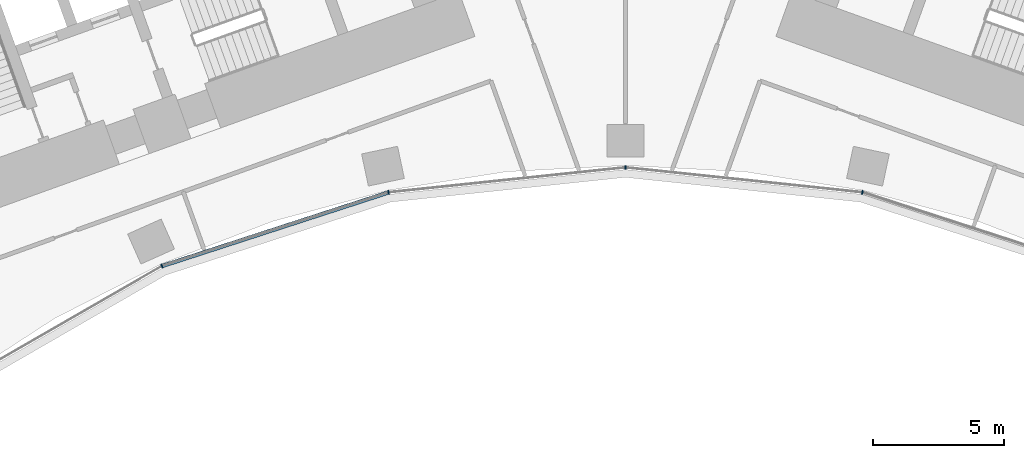
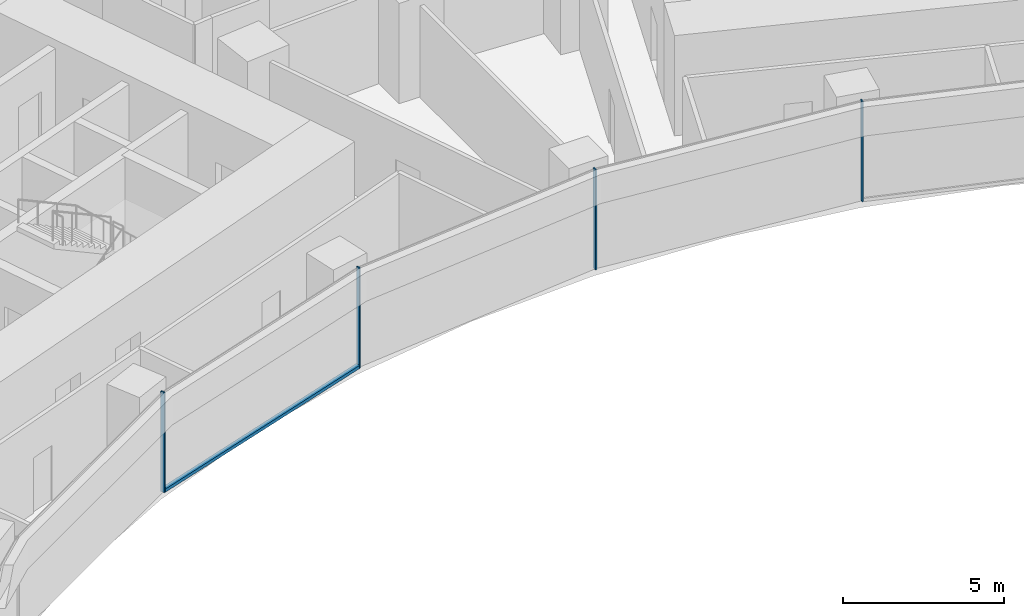
# One storey, part 5 of 21: 5 members, 1 element without a shape of its own.
"""IFC4 building model written with IfcOpenShell, lengths in metres."""

from ifc_helpers import new_model, si_unit, direction, frame, origin, origin_2d, place, context, subcontext, project, spatial, rectangle, extrude, material, layer, layer_set, material_profile, profile_set, type_object, element, aggregate, save


model = new_model("IFC4")

# Units and contexts
model_context = context("Model", 3, precision=1e-05, world=origin(), true_north=direction((0.0, 1.0)))
body_context = subcontext(model_context, "Body", "Model", "MODEL_VIEW")
ifc_project = project(units=[si_unit("LENGTHUNIT", "METRE"), si_unit("AREAUNIT", "SQUARE_METRE"), si_unit("VOLUMEUNIT", "CUBIC_METRE"), si_unit("PLANEANGLEUNIT", "RADIAN"), si_unit("MASSUNIT", "GRAM", prefix="KILO")], contexts=[model_context])

# Site, building, storey
site_placement = place(None, origin())
site = spatial("IfcSite", under=ifc_project, at=site_placement, CompositionType="ELEMENT")
building_placement = place(site_placement, origin())
building = spatial("IfcBuilding", under=site, at=building_placement, Name="Stone Belt Terrace Tower", CompositionType="ELEMENT")
storey_placement = place(building_placement, frame((0.0, 0.0, 33.800048828125)))
storey = spatial("IfcBuildingStorey", under=building, at=storey_placement, Name="L07", CompositionType="ELEMENT", Elevation=33.800048828125)

# Curtain wall, members
ifc_material = material(Name="Aluminium 6063-T6 anodised frame", Category="aluminium")
ifc_layer = layer(ifc_material, 0.14990234375)
ifc_layer_set = layer_set([ifc_layer], Name="CW-B unitised concave-face curtain wall")
curtain_wall_type = type_object("IfcCurtainWallType", Name="CW-B unitised concave-face curtain wall", PredefinedType="NOTDEFINED", material=ifc_layer_set)
curtain_wall_placement = place(storey_placement, origin())
curtain_wall = element("IfcCurtainWall", 1, at=curtain_wall_placement, inside=storey, type_object=curtain_wall_type, Name="CW-B concave face L07", PredefinedType="NOTDEFINED")
ifc_material_profile_1 = material_profile(ifc_material, rectangle(XDim=0.14990234375, YDim=0.050048828125, at=origin_2d()), Name="Aluminium 6063-T6 50x150")
ifc_profile_set_1 = profile_set([ifc_material_profile_1], Name="Aluminium 6063-T6 anodised frame")
member_type_1 = type_object("IfcMemberType", Name="CW-B mullion 50 x 150", PredefinedType="MULLION", material=ifc_profile_set_1)
member_1_placement = place(storey_placement, frame((-17.662353515625, 39.67041015625, 0.0), z_axis=(0.0, 0.0, 1.0), x_axis=(-0.406736643076, 0.913545457643, 0.0)))
member_1 = element("IfcMember", 2, at=member_1_placement, type_object=member_type_1, Name="CW-B mullion 4", PredefinedType="MULLION", context=body_context, shape_type="SweptSolid", body=[
    extrude(rectangle(XDim=0.14990234375, YDim=0.050048828125, at=origin_2d()), origin(), (0.0, 0.0, 1.0), 3.800048828125),
])
member_2_placement = place(storey_placement, frame((-9.028564453125, 42.4755859375, 0.0), z_axis=(0.0, 0.0, 1.0), x_axis=(-0.207911690818, 0.978147600734, 0.0)))
member_2 = element("IfcMember", 3, at=member_2_placement, type_object=member_type_1, Name="CW-B mullion 5", PredefinedType="MULLION", context=body_context, shape_type="SweptSolid", body=[
    extrude(rectangle(XDim=0.14990234375, YDim=0.050048828125, at=origin_2d()), origin(), (0.0, 0.0, 1.0), 3.800048828125),
])
member_3_placement = place(storey_placement, frame((0.0, 43.424560546875, 0.0), z_axis=(0.0, 0.0, 1.0), x_axis=(0.0, 1.0, 0.0)))
member_3 = element("IfcMember", 4, at=member_3_placement, type_object=member_type_1, Name="CW-B mullion 6", PredefinedType="MULLION", context=body_context, shape_type="SweptSolid", body=[
    extrude(rectangle(XDim=0.14990234375, YDim=0.050048828125, at=origin_2d()), origin(), (0.0, 0.0, 1.0), 3.800048828125),
])
member_4_placement = place(storey_placement, frame((9.028564453125, 42.4755859375, 0.0), z_axis=(0.0, 0.0, 1.0), x_axis=(0.207911690818, 0.978147600734, 0.0)))
member_4 = element("IfcMember", 5, at=member_4_placement, type_object=member_type_1, Name="CW-B mullion 7", PredefinedType="MULLION", context=body_context, shape_type="SweptSolid", body=[
    extrude(rectangle(XDim=0.14990234375, YDim=0.050048828125, at=origin_2d()), origin(), (0.0, 0.0, 1.0), 3.800048828125),
])
ifc_material_profile_2 = material_profile(ifc_material, rectangle(XDim=0.14990234375, YDim=0.1201171875, at=origin_2d()), Name="Aluminium 6063-T6 150x120")
ifc_profile_set_2 = profile_set([ifc_material_profile_2], Name="Aluminium 6063-T6 anodised frame")
member_type_2 = type_object("IfcMemberType", Name="CW-B transom 120 x 150", PredefinedType="USERDEFINED", material=ifc_profile_set_2)
member_5_placement = place(storey_placement, frame((-17.63134765625, 39.680419921875, 0.06005859375), z_axis=(0.951055963285, 0.309018696359, 0.0), x_axis=(-0.309018696359, 0.951055963285, 0.0)))
member_5 = element("IfcMember", 6, at=member_5_placement, type_object=member_type_2, Name="CW-B transom 4.1", ObjectType="TRANSOM", PredefinedType="USERDEFINED", context=body_context, shape_type="SweptSolid", body=[
    extrude(rectangle(XDim=0.14990234375, YDim=0.1201171875, at=origin_2d()), origin(), (0.0, 0.0, 1.0), 9.012939453125),
])
aggregate(curtain_wall, [member_1, member_2, member_3, member_4, member_5])

save(model, "model.ifc")
